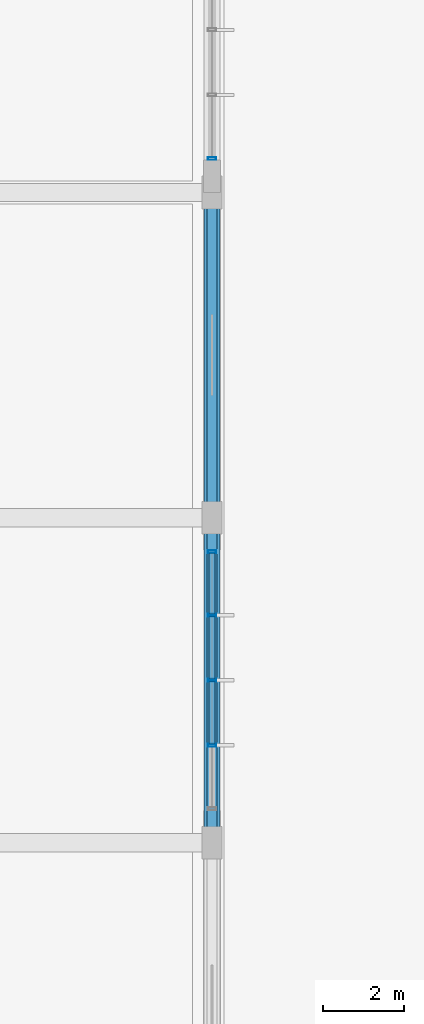
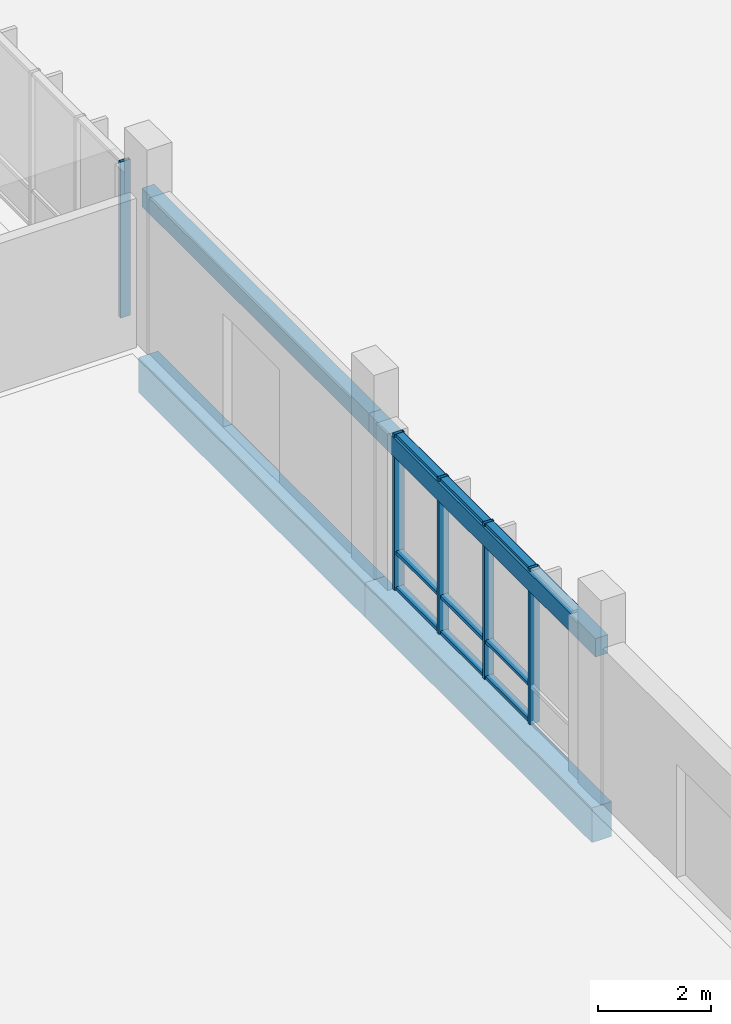
# One storey, part 82 of 233: 14 members, 4 beams, 2 elements without a shape of their own.
"""IFC4 building model written with IfcOpenShell, lengths in metres."""

from ifc_helpers import new_model, si_unit, direction, frame, origin, origin_2d, place, context, subcontext, project, spatial, rectangle, hollow_rectangle, extrude, material, material_profile, profile_set, type_object, element, aggregate, save


model = new_model("IFC4")

# Units and contexts
model_context = context("Model", 3, precision=1e-05, world=origin(), true_north=direction((0.0, 1.0)))
body_context = subcontext(model_context, "Body", "Model", "MODEL_VIEW")
ifc_project = project(units=[si_unit("LENGTHUNIT", "METRE"), si_unit("AREAUNIT", "SQUARE_METRE"), si_unit("VOLUMEUNIT", "CUBIC_METRE"), si_unit("PLANEANGLEUNIT", "RADIAN"), si_unit("MASSUNIT", "GRAM", prefix="KILO")], contexts=[model_context])

# Site, building, storey
site_placement = place(None, origin())
site = spatial("IfcSite", under=ifc_project, at=site_placement, CompositionType="ELEMENT")
building_placement = place(site_placement, origin())
building = spatial("IfcBuilding", under=site, at=building_placement, Name="Zavelmont Quarter", CompositionType="ELEMENT")
storey_placement = place(building_placement, origin())
storey = spatial("IfcBuildingStorey", under=building, at=storey_placement, Name="L00", CompositionType="ELEMENT", Elevation=0.0)

# Beams
ifc_material_1 = material(Name="Concrete C35/45", Category="concrete")
ifc_material_profile_1 = material_profile(ifc_material_1, rectangle(XDim=0.25, YDim=0.39990234375, at=origin_2d()), Name="RC250X400")
ifc_profile_set_1 = profile_set([ifc_material_profile_1], Name="Concrete C35/45")
beam_type_1 = type_object("IfcBeamType", Name="BM04", PredefinedType="LINTEL", material=ifc_profile_set_1)
for number, where, z_axis, x_axis, name in (
    (1, (112.800048828125, 46.0, 3.10009765625), (0.0, 1.0, 0.0), (-1.0, 0.0, 0.0), "L00 beam BM04 17/H to 17/J"),
    (2, (112.800048828125, 54.0, 3.10009765625), (0.0, 1.0, 0.0), (-1.0, 0.0, 0.0), "L00 beam BM04 17/J to 17/K"),
):
    element("IfcBeam", number, at=place(storey_placement, frame(where, z_axis=z_axis, x_axis=x_axis)), inside=storey, type_object=beam_type_1, Name=name, PredefinedType="LINTEL", context=body_context, shape_type="SweptSolid", body=[
        extrude(rectangle(XDim=0.25, YDim=0.39990234375, at=origin_2d()), origin(), (0.0, 0.0, 1.0), 8.0),
    ])
ifc_material_2 = material(Name="Concrete C40/50", Category="concrete")
ifc_material_profile_2 = material_profile(ifc_material_2, rectangle(XDim=0.39990234375, YDim=0.75, at=origin_2d()), Name="RC400X750")
ifc_profile_set_2 = profile_set([ifc_material_profile_2], Name="Concrete C40/50")
beam_type_2 = type_object("IfcBeamType", Name="BM05", PredefinedType="BEAM", material=ifc_profile_set_2)
for number, where, z_axis, x_axis, name in (
    (3, (112.800048828125, 46.0, -0.695068359375), (0.0, 1.0, 0.0), (-1.0, 0.0, 0.0), "L00 beam BM05 17/H to 17/J"),
    (4, (112.800048828125, 54.0, -0.695068359375), (0.0, 1.0, 0.0), (-1.0, 0.0, 0.0), "L00 beam BM05 17/J to 17/K"),
):
    element("IfcBeam", number, at=place(storey_placement, frame(where, z_axis=z_axis, x_axis=x_axis)), inside=storey, type_object=beam_type_2, Name=name, PredefinedType="BEAM", context=body_context, shape_type="SweptSolid", body=[
        extrude(rectangle(XDim=0.39990234375, YDim=0.75, at=origin_2d()), origin(), (0.0, 0.0, 1.0), 8.0),
    ])

# Curtain wall, members
ifc_material_3 = material(Name="Thermally broken aluminium and double low-E safety glazing", Category="aluminium")
curtain_wall_type = type_object("IfcCurtainWallType", Name="CW-640X336", PredefinedType="NOTDEFINED", material=ifc_material_3)
curtain_wall_1_placement = place(storey_placement, origin())
curtain_wall_1 = element("IfcCurtainWall", 5, at=curtain_wall_1_placement, inside=storey, type_object=curtain_wall_type, Name="L00 unitised curtain wall CW-640X336", PredefinedType="NOTDEFINED")
ifc_material_4 = material(Name="Powder-coated aluminium EN AW-6063-T6", Category="aluminium")
ifc_material_profile_3 = material_profile(ifc_material_4, hollow_rectangle(XDim=0.070068359375, YDim=0.199951171875, WallThickness=0.0048828125, at=origin_2d()), Name="CWM70X200")
ifc_profile_set_3 = profile_set([ifc_material_profile_3], Name="Powder-coated aluminium EN AW-6063-T6")
member_type_1 = type_object("IfcMemberType", Name="CWM02", PredefinedType="MULLION", material=ifc_profile_set_3)
member_1_placement = place(storey_placement, frame((112.800048828125, 48.39990234375, 0.0), z_axis=(0.0, 0.0, 1.0), x_axis=(0.0, 1.0, 0.0)))
member_1 = element("IfcMember", 6, at=member_1_placement, type_object=member_type_1, Name="CW-640X336 mullion 2", PredefinedType="MULLION", context=body_context, shape_type="SweptSolid", body=[
    extrude(hollow_rectangle(XDim=0.070068359375, YDim=0.199951171875, WallThickness=0.0048828125, at=origin_2d()), origin(), (0.0, 0.0, 1.0), 3.360107421875),
])
member_2_placement = place(storey_placement, frame((112.800048828125, 50.0, 0.0), z_axis=(0.0, 0.0, 1.0), x_axis=(0.0, 1.0, 0.0)))
member_2 = element("IfcMember", 7, at=member_2_placement, type_object=member_type_1, Name="CW-640X336 mullion 3", PredefinedType="MULLION", context=body_context, shape_type="SweptSolid", body=[
    extrude(hollow_rectangle(XDim=0.070068359375, YDim=0.199951171875, WallThickness=0.0048828125, at=origin_2d()), origin(), (0.0, 0.0, 1.0), 3.360107421875),
])
member_3_placement = place(storey_placement, frame((112.800048828125, 51.60009765625, 0.0), z_axis=(0.0, 0.0, 1.0), x_axis=(0.0, 1.0, 0.0)))
member_3 = element("IfcMember", 8, at=member_3_placement, type_object=member_type_1, Name="CW-640X336 mullion 4", PredefinedType="MULLION", context=body_context, shape_type="SweptSolid", body=[
    extrude(hollow_rectangle(XDim=0.070068359375, YDim=0.199951171875, WallThickness=0.0048828125, at=origin_2d()), origin(), (0.0, 0.0, 1.0), 3.360107421875),
])
member_4_placement = place(storey_placement, frame((112.800048828125, 53.1650390625, 0.0), z_axis=(0.0, 0.0, 1.0), x_axis=(0.0, 1.0, 0.0)))
member_4 = element("IfcMember", 9, at=member_4_placement, type_object=member_type_1, Name="CW-640X336 mullion 5", PredefinedType="MULLION", context=body_context, shape_type="SweptSolid", body=[
    extrude(hollow_rectangle(XDim=0.070068359375, YDim=0.199951171875, WallThickness=0.0048828125, at=origin_2d()), origin(), (0.0, 0.0, 1.0), 3.360107421875),
])

# Curtain wall, member
curtain_wall_2_placement = place(storey_placement, origin())
curtain_wall_2 = element("IfcCurtainWall", 10, at=curtain_wall_2_placement, inside=storey, type_object=curtain_wall_type, Name="L00 unitised curtain wall CW-640X336", PredefinedType="NOTDEFINED")
member_5_placement = place(storey_placement, frame((112.800048828125, 62.8349609375, 0.0), z_axis=(0.0, 0.0, 1.0), x_axis=(0.0, 1.0, 0.0)))
member_5 = element("IfcMember", 11, at=member_5_placement, type_object=member_type_1, Name="CW-640X336 mullion 1", PredefinedType="MULLION", context=body_context, shape_type="SweptSolid", body=[
    extrude(hollow_rectangle(XDim=0.070068359375, YDim=0.199951171875, WallThickness=0.0048828125, at=origin_2d()), origin(), (0.0, 0.0, 1.0), 3.360107421875),
])
aggregate(curtain_wall_2, [member_5])

# Member
ifc_material_profile_4 = material_profile(ifc_material_4, hollow_rectangle(XDim=0.14990234375, YDim=0.070068359375, WallThickness=0.00439453125, at=origin_2d()), Name="CWT70X150")
ifc_profile_set_4 = profile_set([ifc_material_profile_4], Name="Powder-coated aluminium EN AW-6063-T6")
member_type_2 = type_object("IfcMemberType", Name="CWT02", PredefinedType="NOTDEFINED", material=ifc_profile_set_4)
member_6_placement = place(storey_placement, frame((112.800048828125, 48.43505859375, 0.034912109375), z_axis=(0.0, 1.0, 0.0), x_axis=(-1.0, 0.0, 0.0)))
member_6 = element("IfcMember", 12, at=member_6_placement, type_object=member_type_2, Name="CW-640X336 transom 2.1", ObjectType="TRANSOM", PredefinedType="USERDEFINED", context=body_context, shape_type="SweptSolid", body=[
    extrude(hollow_rectangle(XDim=0.14990234375, YDim=0.070068359375, WallThickness=0.00439453125, at=origin_2d()), origin(), (0.0, 0.0, 1.0), 1.530029296875),
])

member_7_placement = place(storey_placement, frame((112.800048828125, 48.43505859375, 0.805908203125), z_axis=(0.0, 1.0, 0.0), x_axis=(-1.0, 0.0, 0.0)))
member_7 = element("IfcMember", 13, at=member_7_placement, type_object=member_type_2, Name="CW-640X336 transom 2.2", ObjectType="TRANSOM", PredefinedType="USERDEFINED", context=body_context, shape_type="SweptSolid", body=[
    extrude(hollow_rectangle(XDim=0.14990234375, YDim=0.070068359375, WallThickness=0.00439453125, at=origin_2d()), origin(), (0.0, 0.0, 1.0), 1.530029296875),
])

member_8_placement = place(storey_placement, frame((112.800048828125, 48.43505859375, 3.324951171875), z_axis=(0.0, 1.0, 0.0), x_axis=(-1.0, 0.0, 0.0)))
member_8 = element("IfcMember", 14, at=member_8_placement, type_object=member_type_2, Name="CW-640X336 transom 2.3", ObjectType="TRANSOM", PredefinedType="USERDEFINED", context=body_context, shape_type="SweptSolid", body=[
    extrude(hollow_rectangle(XDim=0.14990234375, YDim=0.070068359375, WallThickness=0.00439453125, at=origin_2d()), origin(), (0.0, 0.0, 1.0), 1.530029296875),
])

member_9_placement = place(storey_placement, frame((112.800048828125, 50.034912109375, 0.034912109375), z_axis=(0.0, 1.0, 0.0), x_axis=(-1.0, 0.0, 0.0)))
member_9 = element("IfcMember", 15, at=member_9_placement, type_object=member_type_2, Name="CW-640X336 transom 3.1", ObjectType="TRANSOM", PredefinedType="USERDEFINED", context=body_context, shape_type="SweptSolid", body=[
    extrude(hollow_rectangle(XDim=0.14990234375, YDim=0.070068359375, WallThickness=0.00439453125, at=origin_2d()), origin(), (0.0, 0.0, 1.0), 1.530029296875),
])

member_10_placement = place(storey_placement, frame((112.800048828125, 50.034912109375, 0.805908203125), z_axis=(0.0, 1.0, 0.0), x_axis=(-1.0, 0.0, 0.0)))
member_10 = element("IfcMember", 16, at=member_10_placement, type_object=member_type_2, Name="CW-640X336 transom 3.2", ObjectType="TRANSOM", PredefinedType="USERDEFINED", context=body_context, shape_type="SweptSolid", body=[
    extrude(hollow_rectangle(XDim=0.14990234375, YDim=0.070068359375, WallThickness=0.00439453125, at=origin_2d()), origin(), (0.0, 0.0, 1.0), 1.530029296875),
])

member_11_placement = place(storey_placement, frame((112.800048828125, 50.034912109375, 3.324951171875), z_axis=(0.0, 1.0, 0.0), x_axis=(-1.0, 0.0, 0.0)))
member_11 = element("IfcMember", 17, at=member_11_placement, type_object=member_type_2, Name="CW-640X336 transom 3.3", ObjectType="TRANSOM", PredefinedType="USERDEFINED", context=body_context, shape_type="SweptSolid", body=[
    extrude(hollow_rectangle(XDim=0.14990234375, YDim=0.070068359375, WallThickness=0.00439453125, at=origin_2d()), origin(), (0.0, 0.0, 1.0), 1.530029296875),
])

member_12_placement = place(storey_placement, frame((112.800048828125, 51.635009765625, 0.034912109375), z_axis=(0.0, 1.0, 0.0), x_axis=(-1.0, 0.0, 0.0)))
member_12 = element("IfcMember", 18, at=member_12_placement, type_object=member_type_2, Name="CW-640X336 transom 4.1", ObjectType="TRANSOM", PredefinedType="USERDEFINED", context=body_context, shape_type="SweptSolid", body=[
    extrude(hollow_rectangle(XDim=0.14990234375, YDim=0.070068359375, WallThickness=0.00439453125, at=origin_2d()), origin(), (0.0, 0.0, 1.0), 1.494873046875),
])

member_13_placement = place(storey_placement, frame((112.800048828125, 51.635009765625, 0.805908203125), z_axis=(0.0, 1.0, 0.0), x_axis=(-1.0, 0.0, 0.0)))
member_13 = element("IfcMember", 19, at=member_13_placement, type_object=member_type_2, Name="CW-640X336 transom 4.2", ObjectType="TRANSOM", PredefinedType="USERDEFINED", context=body_context, shape_type="SweptSolid", body=[
    extrude(hollow_rectangle(XDim=0.14990234375, YDim=0.070068359375, WallThickness=0.00439453125, at=origin_2d()), origin(), (0.0, 0.0, 1.0), 1.494873046875),
])

member_14_placement = place(storey_placement, frame((112.800048828125, 51.635009765625, 3.324951171875), z_axis=(0.0, 1.0, 0.0), x_axis=(-1.0, 0.0, 0.0)))
member_14 = element("IfcMember", 20, at=member_14_placement, type_object=member_type_2, Name="CW-640X336 transom 4.3", ObjectType="TRANSOM", PredefinedType="USERDEFINED", context=body_context, shape_type="SweptSolid", body=[
    extrude(hollow_rectangle(XDim=0.14990234375, YDim=0.070068359375, WallThickness=0.00439453125, at=origin_2d()), origin(), (0.0, 0.0, 1.0), 1.494873046875),
])

aggregate(curtain_wall_1, [member_1, member_2, member_3, member_4, member_6, member_7, member_8, member_9, member_10, member_11, member_12, member_13, member_14])

save(model, "model.ifc")
